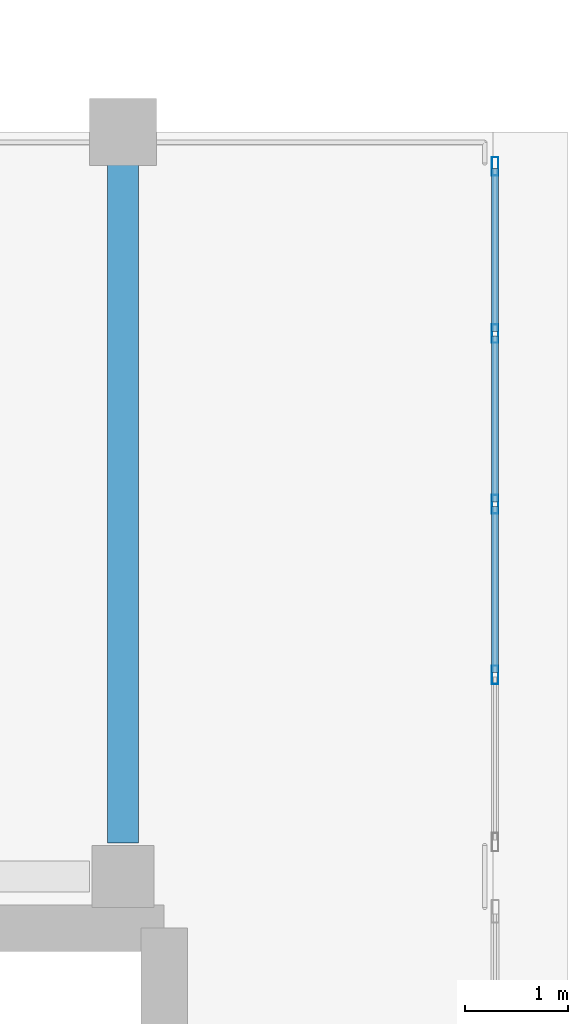
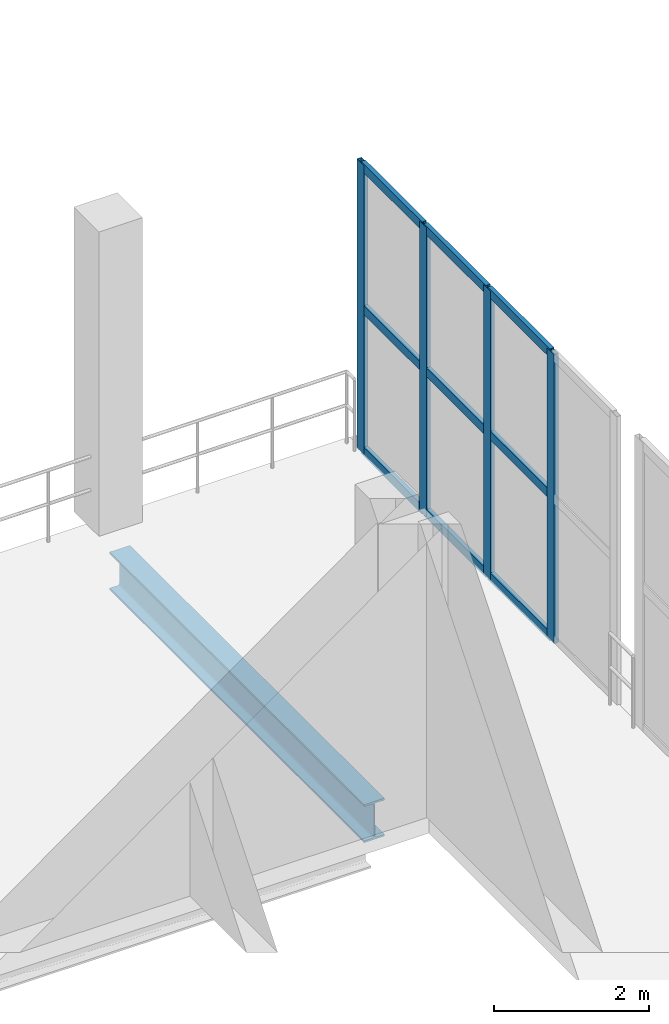
# One storey, part 67 of 105: 13 members, 1 beam, 1 element without a shape of its own.
"""IFC4 building model written with IfcOpenShell, lengths in metres."""

import ifcopenshell
import ifcopenshell.guid

model = None  # the IFC model being written
_history = None  # IfcOwnerHistory: only IFC2X3 demands one
_inside = {}  # id of a spatial element -> (the spatial element, [elements in it])
_under = {}  # id of a project, library or spatial element -> (it, [spatial elements below it])
_declared = {}  # id of a project -> (the project, [libraries it declares])
_typed = {}  # id of a type object -> (the type object, [elements of that type])
_made_of = {}  # id of a material, layer set ... -> (it, [elements and type objects made of it])


def new_model(schema):
    """Start an empty IFC model of exactly this schema.

    Asked for "IFC4X3", IfcOpenShell would pick the latest addendum, in which some entities
    have other attributes; the version numbers below select the first issue.
    IFC2X3 requires an IfcOwnerHistory on every rooted entity: one is made here for all.
    """
    global model, _history
    if schema == "IFC4X3":
        model = ifcopenshell.file(schema_version=(4, 3, 0, 0))
    else:
        model = ifcopenshell.file(schema=schema)
    _inside.clear()
    _under.clear()
    _declared.clear()
    _typed.clear()
    _made_of.clear()
    _history = None
    if model.schema == "IFC2X3":
        org = make("IfcOrganization", Name="unknown")
        user = make(
            "IfcPersonAndOrganization",
            ThePerson=make("IfcPerson", FamilyName="unknown"),
            TheOrganization=org,
        )
        app = make(
            "IfcApplication",
            ApplicationDeveloper=org,
            Version="unknown",
            ApplicationFullName="unknown",
            ApplicationIdentifier="unknown",
        )
        _history = make(
            "IfcOwnerHistory",
            OwningUser=user,
            OwningApplication=app,
            ChangeAction="ADDED",
            CreationDate=0,
        )
    return model


def make(cls, **values):
    """One entity of the class cls with the attributes given. An attribute that is None is left unset."""
    return model.create_entity(
        cls, **{name: value for name, value in values.items() if value is not None}
    )


def rooted(cls, **values):
    """An entity with a GlobalId (a new one), such as an element, a storey or a relation."""
    return make(cls, GlobalId=ifcopenshell.guid.new(), OwnerHistory=_history, **values)


def si_unit(unit_type, name, prefix=None):
    """IfcSIUnit, for example si_unit("LENGTHUNIT", "METRE", prefix="MILLI")."""
    return make("IfcSIUnit", UnitType=unit_type, Prefix=prefix, Name=name)


def assignment(units):
    """IfcUnitAssignment: the units of a project."""
    return None if units is None else make("IfcUnitAssignment", Units=units)


def point(xyz):
    """IfcCartesianPoint."""
    return None if xyz is None else make("IfcCartesianPoint", Coordinates=xyz)


def direction(xyz):
    """IfcDirection."""
    return None if xyz is None else make("IfcDirection", DirectionRatios=xyz)


def frame(location, z_axis=None, x_axis=None):
    """IfcAxis2Placement3D, a coordinate frame: its origin and axes. An axis left out is left unset."""
    return make(
        "IfcAxis2Placement3D",
        Location=point(location),
        Axis=direction(z_axis),
        RefDirection=direction(x_axis),
    )


def frame_2d(location, x_axis=None):
    """IfcAxis2Placement2D, a coordinate frame in the plane: its origin and x axis."""
    return make(
        "IfcAxis2Placement2D", Location=point(location), RefDirection=direction(x_axis)
    )


def origin():
    """The frame at (0, 0, 0) with its axes left unset."""
    return frame((0.0, 0.0, 0.0))


def origin_2d():
    """The frame at (0, 0) in the plane with its x axis left unset."""
    return frame_2d((0.0, 0.0))


def place(relative_to, where):
    """IfcLocalPlacement: puts the frame where relative to a parent placement (None: the world)."""
    return make(
        "IfcLocalPlacement", PlacementRelTo=relative_to, RelativePlacement=where
    )


def context(
    kind, dimensions, precision=None, world=None, true_north=None, identifier=None
):
    """IfcGeometricRepresentationContext, for example the 3D "Model" context."""
    return make(
        "IfcGeometricRepresentationContext",
        ContextIdentifier=identifier,
        ContextType=kind,
        CoordinateSpaceDimension=dimensions,
        Precision=precision,
        WorldCoordinateSystem=world,
        TrueNorth=true_north,
    )


def subcontext(parent, identifier, kind, view, scale=None):
    """IfcGeometricRepresentationSubContext, for example "Body" below "Model"."""
    return make(
        "IfcGeometricRepresentationSubContext",
        ContextIdentifier=identifier,
        ContextType=kind,
        ParentContext=parent,
        TargetScale=scale,
        TargetView=view,
    )


def project(units=None, contexts=None):
    """IfcProject with its units and contexts."""
    return rooted(
        "IfcProject",
        Name="project",
        RepresentationContexts=contexts,
        UnitsInContext=assignment(units),
    )


def spatial(cls, under=None, at=None, **own):
    """A site, building, storey or space (cls), placed at a placement, below another one or the project."""
    s = rooted(cls, ObjectPlacement=at, **own)
    if under is not None:
        _under.setdefault(under.id(), (under, []))[1].append(s)
    return s


def profile(cls, at=None, kind="AREA", **sizes):
    """A parametric profile (cls). Its sizes go by their IFC names, for example OverallWidth=200.0."""
    return make(cls, ProfileType=kind, Position=at, **sizes)


def hollow_rectangle(**sizes):
    """IfcRectangleHollowProfileDef."""
    return profile("IfcRectangleHollowProfileDef", **sizes)


def i_section(**sizes):
    """IfcIShapeProfileDef."""
    return profile("IfcIShapeProfileDef", **sizes)


def extrude(swept, where, along, depth):
    """IfcExtrudedAreaSolid: the profile swept, set in the frame where, extruded along a direction by depth."""
    return make(
        "IfcExtrudedAreaSolid",
        SweptArea=swept,
        Position=where,
        ExtrudedDirection=direction(along),
        Depth=depth,
    )


def shape(context_of_items, identifier, shape_type, items):
    """IfcShapeRepresentation: the items that make up one representation, for example the "Body"."""
    return make(
        "IfcShapeRepresentation",
        ContextOfItems=context_of_items,
        RepresentationIdentifier=identifier,
        RepresentationType=shape_type,
        Items=items,
    )


def material(Name=None, Category=None):
    """IfcMaterial."""
    return make("IfcMaterial", Name=Name, Category=Category)


def material_profile(
    of_material, cross_section, Name=None, Category=None, Priority=None
):
    """IfcMaterialProfile: a cross section and its material."""
    return make(
        "IfcMaterialProfile",
        Name=Name,
        Material=of_material,
        Profile=cross_section,
        Priority=Priority,
        Category=Category,
    )


def profile_set(profiles, Name=None, composite=None):
    """IfcMaterialProfileSet."""
    return make(
        "IfcMaterialProfileSet",
        Name=Name,
        MaterialProfiles=profiles,
        CompositeProfile=composite,
    )


def made_of(thing, what):
    """Note that an element or type object is made of a material, layer set ...; save() writes the relation."""
    if what is not None:
        _made_of.setdefault(what.id(), (what, []))[1].append(thing)
    return thing


def type_object(cls, material=None, **own):
    """A type object (cls), such as IfcWallType, which elements share."""
    return made_of(rooted(cls, **own), material)


def element(
    cls,
    number,
    at=None,
    inside=None,
    cuts=None,
    type_object=None,
    material=None,
    context=None,
    identifier="Body",
    shape_type=None,
    held_by="IfcProductDefinitionShape",
    body=None,
    shapes=None,
    **own,
):
    """One element of the class cls, such as IfcWall. Its Tag is "e" and its number.

    at: its placement. inside: the storey or other place that contains it. cuts: it is an
    opening in that element (IfcRelVoidsElement). A single representation is given by context,
    identifier, shape_type and body (its items); several are given by shapes. held_by: the class
    of the entity that holds the representations. save() writes the other relations.
    """
    e = rooted(cls, Tag="e%d" % number, ObjectPlacement=at, **own)
    if body is not None:
        shapes = [shape(context, identifier, shape_type, body)]
    if shapes is not None:
        e.Representation = make(held_by, Representations=shapes)
    if inside is not None:
        _inside.setdefault(inside.id(), (inside, []))[1].append(e)
    if cuts is not None:
        rooted(
            "IfcRelVoidsElement", RelatingBuildingElement=cuts, RelatedOpeningElement=e
        )
    if type_object is not None:
        _typed.setdefault(type_object.id(), (type_object, []))[1].append(e)
    return made_of(e, material)


def aggregate(whole, parts):
    """IfcRelAggregates: a whole, such as a stair, and the parts it consists of."""
    return rooted("IfcRelAggregates", RelatingObject=whole, RelatedObjects=parts)


def save(model, path):
    """Write the relations noted so far, then the file.

    IfcRelAggregates (storeys below a building ...), IfcRelContainedInSpatialStructure (elements
    in a storey), IfcRelDefinesByType, IfcRelAssociatesMaterial and IfcRelDeclares: one each for
    every whole, place, type object, material and project.
    """
    for whole, parts in _under.values():
        aggregate(whole, parts)
    for where, things in _inside.values():
        rooted(
            "IfcRelContainedInSpatialStructure",
            RelatedElements=things,
            RelatingStructure=where,
        )
    for kind, things in _typed.values():
        rooted("IfcRelDefinesByType", RelatedObjects=things, RelatingType=kind)
    for what, things in _made_of.values():
        rooted("IfcRelAssociatesMaterial", RelatedObjects=things, RelatingMaterial=what)
    for by, libraries in _declared.values():
        rooted("IfcRelDeclares", RelatingContext=by, RelatedDefinitions=libraries)
    model.write(path)


model = new_model("IFC4")

# Units and contexts
model_context = context("Model", 3, precision=1e-05, world=origin(), true_north=direction((0.0, 1.0)))
body_context = subcontext(model_context, "Body", "Model", "MODEL_VIEW")
ifc_project = project(units=[si_unit("LENGTHUNIT", "METRE"), si_unit("AREAUNIT", "SQUARE_METRE"), si_unit("VOLUMEUNIT", "CUBIC_METRE"), si_unit("PLANEANGLEUNIT", "RADIAN"), si_unit("MASSUNIT", "GRAM", prefix="KILO")], contexts=[model_context])

# Site, building, storey
site_placement = place(None, origin())
site = spatial("IfcSite", under=ifc_project, at=site_placement, CompositionType="ELEMENT")
building_placement = place(site_placement, origin())
building = spatial("IfcBuilding", under=site, at=building_placement, Name="Qandorah Velis Arena", CompositionType="ELEMENT")
storey_placement = place(building_placement, frame((0.0, 0.0, 13.800048828125)))
storey = spatial("IfcBuildingStorey", under=building, at=storey_placement, Name="L03", CompositionType="ELEMENT", Elevation=13.800048828125)

# Curtain wall, members
ifc_material_1 = material(Name="Solar-control low-E double glazing", Category="glass")
curtain_wall_type = type_object("IfcCurtainWallType", Name="ARC-CW-SYS14", PredefinedType="USERDEFINED", material=ifc_material_1)
curtain_wall_placement = place(storey_placement, origin())
curtain_wall = element("IfcCurtainWall", 1, at=curtain_wall_placement, inside=storey, type_object=curtain_wall_type, Name="Unitised curtain wall L03-158", ObjectType="UNITISED CURTAIN WALL", PredefinedType="USERDEFINED")
ifc_material_2 = material(Name="Champagne-bronze anodized aluminium 6063-T6", Category="aluminium")
ifc_material_profile_1 = material_profile(ifc_material_2, hollow_rectangle(XDim=0.06494140625, YDim=0.179931640625, WallThickness=0.00341796875, at=origin_2d()), Name="ALU MULLION 65x180")
ifc_profile_set_1 = profile_set([ifc_material_profile_1], Name="Champagne-bronze anodized aluminium 6063-T6")
member_type_1 = type_object("IfcMemberType", Name="ARC-CWM-180", PredefinedType="MULLION", material=ifc_profile_set_1)
member_1_placement = place(storey_placement, frame((169.199951171875, 88.35009765625, -0.01513671875), z_axis=(0.0, 0.0, 1.0), x_axis=(-1.0, 0.0, 0.0)))
member_1 = element("IfcMember", 2, at=member_1_placement, type_object=member_type_1, Name="CW14 mullion 2", PredefinedType="MULLION", context=body_context, shape_type="SweptSolid", body=[
    extrude(hollow_rectangle(XDim=0.06494140625, YDim=0.179931640625, WallThickness=0.00341796875, at=origin_2d()), origin(), (0.0, 0.0, 1.0), 4.56005859375),
])
member_2_placement = place(storey_placement, frame((169.199951171875, 90.0, -0.01513671875), z_axis=(0.0, 0.0, 1.0), x_axis=(-1.0, 0.0, 0.0)))
member_2 = element("IfcMember", 3, at=member_2_placement, type_object=member_type_1, Name="CW14 mullion 3", PredefinedType="MULLION", context=body_context, shape_type="SweptSolid", body=[
    extrude(hollow_rectangle(XDim=0.06494140625, YDim=0.179931640625, WallThickness=0.00341796875, at=origin_2d()), origin(), (0.0, 0.0, 1.0), 4.56005859375),
])
member_3_placement = place(storey_placement, frame((169.199951171875, 91.64990234375, -0.01513671875), z_axis=(0.0, 0.0, 1.0), x_axis=(-1.0, 0.0, 0.0)))
member_3 = element("IfcMember", 4, at=member_3_placement, type_object=member_type_1, Name="CW14 mullion 4", PredefinedType="MULLION", context=body_context, shape_type="SweptSolid", body=[
    extrude(hollow_rectangle(XDim=0.06494140625, YDim=0.179931640625, WallThickness=0.00341796875, at=origin_2d()), origin(), (0.0, 0.0, 1.0), 4.56005859375),
])
member_4_placement = place(storey_placement, frame((169.199951171875, 93.267578125, -0.01513671875), z_axis=(0.0, 0.0, 1.0), x_axis=(-1.0, 0.0, 0.0)))
member_4 = element("IfcMember", 5, at=member_4_placement, type_object=member_type_1, Name="CW14 mullion 5", PredefinedType="MULLION", context=body_context, shape_type="SweptSolid", body=[
    extrude(hollow_rectangle(XDim=0.06494140625, YDim=0.179931640625, WallThickness=0.00341796875, at=origin_2d()), origin(), (0.0, 0.0, 1.0), 4.56005859375),
])
ifc_material_profile_2 = material_profile(ifc_material_2, hollow_rectangle(XDim=0.06494140625, YDim=0.139892578125, WallThickness=0.0029296875, at=origin_2d()), Name="ALU TRANSOM 65x140")
ifc_profile_set_2 = profile_set([ifc_material_profile_2], Name="Champagne-bronze anodized aluminium 6063-T6")
member_type_2 = type_object("IfcMemberType", Name="ARC-CWT-140", PredefinedType="USERDEFINED", material=ifc_profile_set_2)
member_5_placement = place(storey_placement, frame((169.199951171875, 88.37060546875, 0.032470703125), z_axis=(0.0, 1.0, 0.0), x_axis=(-1.0, 0.0, 0.0)))
member_5 = element("IfcMember", 6, at=member_5_placement, type_object=member_type_2, Name="CW14 transom 2.1", ObjectType="TRANSOM", PredefinedType="USERDEFINED", context=body_context, shape_type="SweptSolid", body=[
    extrude(hollow_rectangle(XDim=0.06494140625, YDim=0.139892578125, WallThickness=0.0029296875, at=origin_2d()), origin(), (0.0, 0.0, 1.0), 1.60888671875),
])
member_6_placement = place(storey_placement, frame((169.199951171875, 88.37060546875, 2.264892578125), z_axis=(0.0, 1.0, 0.0), x_axis=(-1.0, 0.0, 0.0)))
member_6 = element("IfcMember", 7, at=member_6_placement, type_object=member_type_2, Name="CW14 transom 2.2", ObjectType="TRANSOM", PredefinedType="USERDEFINED", context=body_context, shape_type="SweptSolid", body=[
    extrude(hollow_rectangle(XDim=0.06494140625, YDim=0.139892578125, WallThickness=0.0029296875, at=origin_2d()), origin(), (0.0, 0.0, 1.0), 1.60888671875),
])
member_7_placement = place(storey_placement, frame((169.199951171875, 88.37060546875, 4.49755859375), z_axis=(0.0, 1.0, 0.0), x_axis=(-1.0, 0.0, 0.0)))
member_7 = element("IfcMember", 8, at=member_7_placement, type_object=member_type_2, Name="CW14 transom 2.3", ObjectType="TRANSOM", PredefinedType="USERDEFINED", context=body_context, shape_type="SweptSolid", body=[
    extrude(hollow_rectangle(XDim=0.06494140625, YDim=0.139892578125, WallThickness=0.0029296875, at=origin_2d()), origin(), (0.0, 0.0, 1.0), 1.60888671875),
])
member_8_placement = place(storey_placement, frame((169.199951171875, 90.0205078125, 0.032470703125), z_axis=(0.0, 1.0, 0.0), x_axis=(-1.0, 0.0, 0.0)))
member_8 = element("IfcMember", 9, at=member_8_placement, type_object=member_type_2, Name="CW14 transom 3.1", ObjectType="TRANSOM", PredefinedType="USERDEFINED", context=body_context, shape_type="SweptSolid", body=[
    extrude(hollow_rectangle(XDim=0.06494140625, YDim=0.139892578125, WallThickness=0.0029296875, at=origin_2d()), origin(), (0.0, 0.0, 1.0), 1.60888671875),
])
member_9_placement = place(storey_placement, frame((169.199951171875, 90.0205078125, 2.264892578125), z_axis=(0.0, 1.0, 0.0), x_axis=(-1.0, 0.0, 0.0)))
member_9 = element("IfcMember", 10, at=member_9_placement, type_object=member_type_2, Name="CW14 transom 3.2", ObjectType="TRANSOM", PredefinedType="USERDEFINED", context=body_context, shape_type="SweptSolid", body=[
    extrude(hollow_rectangle(XDim=0.06494140625, YDim=0.139892578125, WallThickness=0.0029296875, at=origin_2d()), origin(), (0.0, 0.0, 1.0), 1.60888671875),
])
member_10_placement = place(storey_placement, frame((169.199951171875, 90.0205078125, 4.49755859375), z_axis=(0.0, 1.0, 0.0), x_axis=(-1.0, 0.0, 0.0)))
member_10 = element("IfcMember", 11, at=member_10_placement, type_object=member_type_2, Name="CW14 transom 3.3", ObjectType="TRANSOM", PredefinedType="USERDEFINED", context=body_context, shape_type="SweptSolid", body=[
    extrude(hollow_rectangle(XDim=0.06494140625, YDim=0.139892578125, WallThickness=0.0029296875, at=origin_2d()), origin(), (0.0, 0.0, 1.0), 1.60888671875),
])
member_11_placement = place(storey_placement, frame((169.199951171875, 91.67041015625, 0.032470703125), z_axis=(0.0, 1.0, 0.0), x_axis=(-1.0, 0.0, 0.0)))
member_11 = element("IfcMember", 12, at=member_11_placement, type_object=member_type_2, Name="CW14 transom 4.1", ObjectType="TRANSOM", PredefinedType="USERDEFINED", context=body_context, shape_type="SweptSolid", body=[
    extrude(hollow_rectangle(XDim=0.06494140625, YDim=0.139892578125, WallThickness=0.0029296875, at=origin_2d()), origin(), (0.0, 0.0, 1.0), 1.57666015625),
])
member_12_placement = place(storey_placement, frame((169.199951171875, 91.67041015625, 2.264892578125), z_axis=(0.0, 1.0, 0.0), x_axis=(-1.0, 0.0, 0.0)))
member_12 = element("IfcMember", 13, at=member_12_placement, type_object=member_type_2, Name="CW14 transom 4.2", ObjectType="TRANSOM", PredefinedType="USERDEFINED", context=body_context, shape_type="SweptSolid", body=[
    extrude(hollow_rectangle(XDim=0.06494140625, YDim=0.139892578125, WallThickness=0.0029296875, at=origin_2d()), origin(), (0.0, 0.0, 1.0), 1.57666015625),
])
member_13_placement = place(storey_placement, frame((169.199951171875, 91.67041015625, 4.49755859375), z_axis=(0.0, 1.0, 0.0), x_axis=(-1.0, 0.0, 0.0)))
member_13 = element("IfcMember", 14, at=member_13_placement, type_object=member_type_2, Name="CW14 transom 4.3", ObjectType="TRANSOM", PredefinedType="USERDEFINED", context=body_context, shape_type="SweptSolid", body=[
    extrude(hollow_rectangle(XDim=0.06494140625, YDim=0.139892578125, WallThickness=0.0029296875, at=origin_2d()), origin(), (0.0, 0.0, 1.0), 1.57666015625),
])
aggregate(curtain_wall, [member_1, member_2, member_3, member_4, member_5, member_6, member_7, member_8, member_9, member_10, member_11, member_12, member_13])

# Beam
ifc_material_3 = material(Name="Steel S355", Category="steel")
ifc_material_profile_3 = material_profile(ifc_material_3, i_section(OverallWidth=0.300048828125, OverallDepth=0.60009765625, WebThickness=0.015380859375, FlangeThickness=0.030029296875, FilletRadius=0.027099609375, at=origin_2d()), Name="HEB 600")
ifc_profile_set_3 = profile_set([ifc_material_profile_3], Name="Steel S355")
beam_type = type_object("IfcBeamType", Name="STR-BM-HEB600", PredefinedType="BEAM", material=ifc_profile_set_3)
beam_placement = place(storey_placement, frame((165.60009765625, 86.72509765625, -0.6201171875), z_axis=(0.0, 1.0, 0.0), x_axis=(-1.0, 0.0, 0.0)))
element("IfcBeam", 15, at=beam_placement, inside=storey, type_object=beam_type, Name="Primary floor girder L03 Y-338", PredefinedType="BEAM", context=body_context, shape_type="SweptSolid", body=[
    extrude(i_section(OverallWidth=0.300048828125, OverallDepth=0.60009765625, WebThickness=0.015380859375, FlangeThickness=0.030029296875, FilletRadius=0.027099609375, at=origin_2d()), origin(), (0.0, 0.0, 1.0), 6.574951171875),
])

save(model, "model.ifc")
